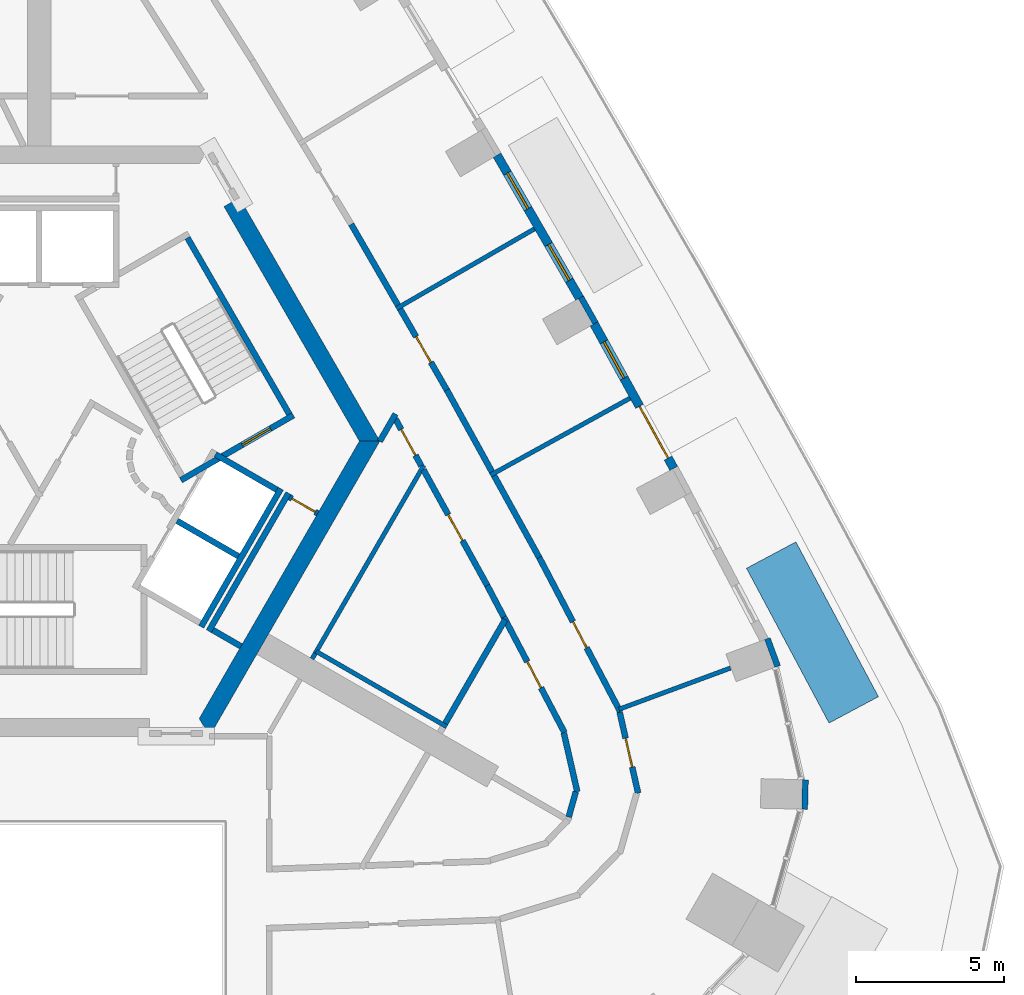
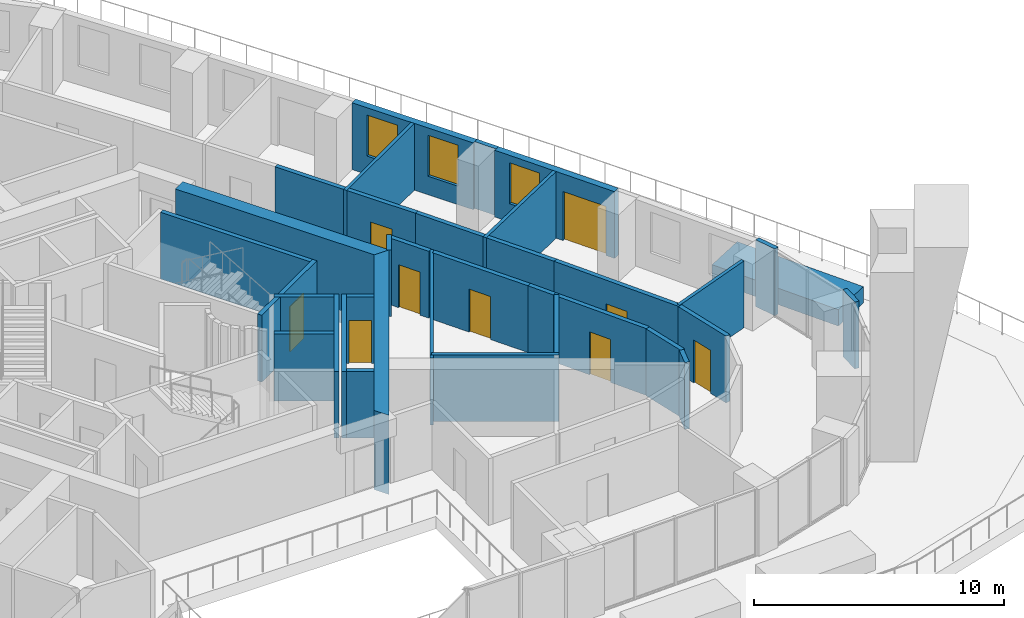
# One storey, part 8 of 14: 36 walls, 9 doors, 3 windows, 12 openings.
"""IFC4 building model written with IfcOpenShell, lengths in metres."""

from ifc_helpers import new_model, si_unit, direction, frame, frame_2d, origin, place, context, subcontext, project, spatial, polyline, rectangle, outline, extrude, material, layer, layer_set, type_object, element, fill, save


model = new_model("IFC4")

# Units and contexts
model_context = context("Model", 3, precision=1e-05, world=origin(), true_north=direction((0.0, 1.0)))
body_context = subcontext(model_context, "Body", "Model", "MODEL_VIEW")
ifc_project = project(units=[si_unit("LENGTHUNIT", "METRE"), si_unit("AREAUNIT", "SQUARE_METRE"), si_unit("VOLUMEUNIT", "CUBIC_METRE"), si_unit("PLANEANGLEUNIT", "RADIAN"), si_unit("MASSUNIT", "GRAM", prefix="KILO")], contexts=[model_context])

# Site, building, storey
site_placement = place(None, origin())
site = spatial("IfcSite", under=ifc_project, at=site_placement, CompositionType="ELEMENT")
building_placement = place(site_placement, origin())
building = spatial("IfcBuilding", under=site, at=building_placement, Name="Entoto Arch Interchange Tower", CompositionType="ELEMENT")
storey_placement = place(building_placement, frame((0.0, 0.0, 241.39990234375)))
storey = spatial("IfcBuildingStorey", under=building, at=storey_placement, Name="L54", CompositionType="ELEMENT", Elevation=241.39990234375)

# Walls
ifc_material_1 = material(Name="Concrete C40/50", Category="concrete")
ifc_layer_1 = layer(ifc_material_1, 0.60009765625)
ifc_layer_set_1 = layer_set([ifc_layer_1], Name="Concrete C40/50")
wall_type_1 = type_object("IfcWallType", Name="Core wall 600 C40/50", PredefinedType="SHEAR", material=ifc_layer_set_1)
wall_1_placement = place(storey_placement, frame((0.0, 0.0, -0.599853515625)))
element("IfcWall", 1, at=wall_1_placement, inside=storey, type_object=wall_type_1, Name="Core wall NE L54", PredefinedType="SHEAR", context=body_context, shape_type="SweptSolid", body=[
    extrude(outline(polyline([(6.785888671875, 10.7470703125), (6.26611328125, 10.447021484375), (10.85400390625, 2.5), (11.547119140625, 2.5), (6.785888671875, 10.7470703125)])), origin(), (0.0, 0.0, 1.0), 3.85986328125),
])
wall_2_placement = place(storey_placement, frame((0.0, 0.0, -0.599853515625)))
element("IfcWall", 2, at=wall_2_placement, inside=storey, type_object=wall_type_1, Name="Core wall SE L54", PredefinedType="SHEAR", context=body_context, shape_type="SweptSolid", body=[
    extrude(outline(polyline([(5.77392578125, -7.5), (11.547119140625, 2.5), (10.85400390625, 2.5), (5.427001953125, -6.89990234375), (5.77392578125, -7.5)])), origin(), (0.0, 0.0, 1.0), 3.85986328125),
])
ifc_layer_2 = layer(ifc_material_1, 0.199951171875)
ifc_layer_set_2 = layer_set([ifc_layer_2], Name="Concrete C40/50")
wall_type_2 = type_object("IfcWallType", Name="LIFT SHAFT WALL 200", PredefinedType="STANDARD", material=ifc_layer_set_2)
wall_3_placement = place(storey_placement, frame((5.491943359375, -3.7880859375, 0.0), z_axis=(0.0, 0.0, 1.0), x_axis=(0.500034260056, 0.866005622828, 0.0)))
element("IfcWall", 3, at=wall_3_placement, inside=storey, type_object=wall_type_2, Name="Shaft wall SE1 back", PredefinedType="STANDARD", context=body_context, shape_type="SweptSolid", body=[
    extrude(rectangle(XDim=5.3994140625, YDim=0.199951171875, at=frame_2d((2.69970703125, 0.0))), origin(), (0.0, 0.0, 1.0), 3.260009765625),
])
for number, where, z_axis, x_axis, name in (
    (4, (4.677001953125, -0.199951171875, 0.0), (0.0, 0.0, 1.0), (0.865973769406, -0.500089422704, 0.0), "Shaft wall SE1 cross 2"),
    (5, (5.97705078125, 2.052001953125, 0.0), (0.0, 0.0, 1.0), (0.865973769406, -0.500089422704, 0.0), "Shaft wall SE1 cross 3"),
):
    element("IfcWall", number, at=place(storey_placement, frame(where, z_axis=z_axis, x_axis=x_axis)), inside=storey, type_object=wall_type_2, Name=name, PredefinedType="STANDARD", context=body_context, shape_type="SweptSolid", body=[
        extrude(rectangle(XDim=2.3994140625, YDim=0.199951171875, at=frame_2d((1.19970703125, 0.0))), origin(), (0.0, 0.0, 1.0), 3.260009765625),
    ])
ifc_material_2 = material(Name="Gypsum board partition on steel studs", Category="steel")
ifc_layer_3 = layer(ifc_material_2, 0.14990234375)
ifc_layer_set_3 = layer_set([ifc_layer_3], Name="Gypsum board partition on steel studs")
wall_type_3 = type_object("IfcWallType", Name="PARTITION 150", PredefinedType="PARTITIONING", material=ifc_layer_set_3)
wall_4_placement = place(storey_placement, frame((9.35791015625, -4.69189453125, 0.0), z_axis=(0.0, 0.0, 1.0), x_axis=(0.500027777314, 0.866009365951, 0.0)))
element("IfcWall", 6, at=wall_4_placement, inside=storey, type_object=wall_type_3, Name="wall:L54:p074", PredefinedType="PARTITIONING", context=body_context, shape_type="SweptSolid", body=[
    extrude(rectangle(XDim=7.35986328125, YDim=0.14990234375, at=frame_2d((3.679931640625, 0.0))), origin(), (0.0, 0.0, 1.0), 3.260009765625),
])
wall_5_placement = place(storey_placement, frame((9.39501953125, -4.626953125, 0.0), z_axis=(0.0, 0.0, 1.0), x_axis=(0.866034131428, -0.499984882974, 0.0)))
element("IfcWall", 7, at=wall_5_placement, inside=storey, type_object=wall_type_3, Name="wall:L54:p091", PredefinedType="PARTITIONING", context=body_context, shape_type="SweptSolid", body=[
    extrude(rectangle(XDim=5.100341796875, YDim=0.14990234375, at=frame_2d((2.55029296875, 0.0))), origin(), (0.0, 0.0, 1.0), 3.260009765625),
])
wall_6_placement = place(storey_placement, frame((19.64892578125, -6.5859375, 0.0), z_axis=(0.0, 0.0, 1.0), x_axis=(0.937935790958, 0.346808956114, 0.0)))
element("IfcWall", 8, at=wall_6_placement, inside=storey, type_object=wall_type_3, Name="wall:L54:p104", PredefinedType="PARTITIONING", context=body_context, shape_type="SweptSolid", body=[
    extrude(rectangle(XDim=4.028076171875, YDim=0.14990234375, at=frame_2d((2.01416015625, 0.0))), origin(), (0.0, 0.0, 1.0), 3.260009765625),
])
wall_7_placement = place(storey_placement, frame((15.294921875, 1.346923828125, 0.0), z_axis=(0.0, 0.0, 1.0), x_axis=(0.875728645362, 0.482803624358, 0.0)))
element("IfcWall", 9, at=wall_7_placement, inside=storey, type_object=wall_type_3, Name="wall:L54:p105", PredefinedType="PARTITIONING", context=body_context, shape_type="SweptSolid", body=[
    extrude(rectangle(XDim=5.400146484375, YDim=0.14990234375, at=frame_2d((2.7001953125, 0.0))), origin(), (0.0, 0.0, 1.0), 3.260009765625),
])
wall_8_placement = place(storey_placement, frame((12.110107421875, 6.991943359375, 0.0), z_axis=(0.0, 0.0, 1.0), x_axis=(0.865994316829, 0.50005384032, 0.0)))
element("IfcWall", 10, at=wall_8_placement, inside=storey, type_object=wall_type_3, Name="wall:L54:p106", PredefinedType="PARTITIONING", context=body_context, shape_type="SweptSolid", body=[
    extrude(rectangle(XDim=5.3994140625, YDim=0.14990234375, at=frame_2d((2.69970703125, 0.0))), origin(), (0.0, 0.0, 1.0), 3.260009765625),
])
wall_9_placement = place(storey_placement, frame((9.25, -4.87890625, 0.0), z_axis=(0.0, 0.0, 1.0), x_axis=(0.499787711288, 0.866147934042, 0.0)))
element("IfcWall", 11, at=wall_9_placement, inside=storey, type_object=wall_type_3, Name="wall:L54:p073", PredefinedType="PARTITIONING", context=body_context, shape_type="SweptSolid", body=[
    extrude(rectangle(XDim=0.2158203125, YDim=0.14990234375, at=frame_2d((0.10791015625, 0.0))), origin(), (0.0, 0.0, 1.0), 3.260009765625),
])

# Wall, opening, door
ifc_layer_4 = layer(ifc_material_2, 0.199951171875)
ifc_layer_set_4 = layer_set([ifc_layer_4], Name="Gypsum board partition on steel studs")
wall_type_4 = type_object("IfcWallType", Name="PARTITION 200", PredefinedType="PARTITIONING", material=ifc_layer_set_4)
wall_10_placement = place(storey_placement, frame((12.951904296875, 1.660888671875, 0.0), z_axis=(0.0, 0.0, 1.0), x_axis=(-0.482707835392, 0.875781448566, 0.0)))
wall_10 = element("IfcWall", 12, at=wall_10_placement, inside=storey, type_object=wall_type_4, Name="wall:L54:p004", PredefinedType="PARTITIONING", context=body_context, shape_type="SweptSolid", body=[
    extrude(rectangle(XDim=1.816650390625, YDim=0.199951171875, at=frame_2d((0.908203125, 0.0))), origin(), (0.0, 0.0, 1.0), 3.260009765625),
])
opening_1_placement = place(wall_10_placement, frame((0.407958984375, 0.0, 0.0)))
opening_1 = element("IfcOpeningElement", 13, at=opening_1_placement, cuts=wall_10, Name="Opening L54-D25", PredefinedType="OPENING", context=body_context, shape_type="SweptSolid", body=[
    extrude(rectangle(XDim=1.0, YDim=2.10009765625, at=frame_2d((0.5, 1.050048828125))), frame((0.0, 0.10986328125, 0.0), z_axis=(0.0, -1.0, 0.0), x_axis=(1.0, 0.0, 0.0)), (0.0, 0.0, 1.0), 0.219970703125),
])
ifc_material_3 = material(Name="Timber door leaf in Steel S235 frame", Category="steel")
door_type_1 = type_object("IfcDoorType", Name="DOOR DS-10 1000x2100", OperationType="SINGLE_SWING_LEFT", PredefinedType="DOOR", material=ifc_material_3)
door_1_placement = place(opening_1_placement, origin())
door_1 = element("IfcDoor", 14, at=door_1_placement, inside=storey, type_object=door_type_1, Name="door:L54:25", OperationType="SINGLE_SWING_RIGHT", OverallHeight=2.10009765625, OverallWidth=1.0, PredefinedType="DOOR", context=body_context, shape_type="SweptSolid", body=[
    extrude(rectangle(XDim=1.0, YDim=2.10009765625, at=frame_2d((0.5, 1.050048828125))), frame((0.0, 0.02490234375, 0.0), z_axis=(0.0, -1.0, 0.0), x_axis=(1.0, 0.0, 0.0)), (0.0, 0.0, 1.0), 0.050048828125),
])
fill(opening_1, door_1)

# Walls
wall_11_placement = place(storey_placement, frame((12.0791015625, 3.4189453125, 0.0), z_axis=(0.0, 0.0, 1.0), x_axis=(-0.500674759037, -0.865635480825, 0.0)))
element("IfcWall", 15, at=wall_11_placement, inside=storey, type_object=wall_type_4, Name="wall:L54:p005", PredefinedType="PARTITIONING", context=body_context, shape_type="SweptSolid", body=[
    extrude(rectangle(XDim=1.06494140625, YDim=0.199951171875, at=frame_2d((0.532470703125, 0.0))), origin(), (0.0, 0.0, 1.0), 3.260009765625),
])
wall_12_placement = place(storey_placement, frame((15.74609375, -3.4580078125, 0.0), z_axis=(0.0, 0.0, 1.0), x_axis=(-0.464794189951, 0.885418748948, 0.0)))
element("IfcWall", 16, at=wall_12_placement, inside=storey, type_object=wall_type_4, Name="wall:L54:p014", PredefinedType="PARTITIONING", context=body_context, shape_type="SweptSolid", body=[
    extrude(rectangle(XDim=1.205078125, YDim=0.199951171875, at=frame_2d((0.6025390625, 0.0))), origin(), (0.0, 0.0, 1.0), 3.260009765625),
])

# Wall, opening, door
wall_13_placement = place(storey_placement, frame((15.18603515625, -2.39111328125, 0.0), z_axis=(0.0, 0.0, 1.0), x_axis=(-0.482858240592, 0.875698532311, 0.0)))
wall_13 = element("IfcWall", 17, at=wall_13_placement, inside=storey, type_object=wall_type_4, Name="wall:L54:p015", PredefinedType="PARTITIONING", context=body_context, shape_type="SweptSolid", body=[
    extrude(rectangle(XDim=4.477783203125, YDim=0.199951171875, at=frame_2d((2.23876953125, 0.0))), origin(), (0.0, 0.0, 1.0), 3.260009765625),
])
opening_2_placement = place(wall_13_placement, frame((1.739013671875, 0.0, 0.0)))
opening_2 = element("IfcOpeningElement", 18, at=opening_2_placement, cuts=wall_13, Name="Opening L54-D15", PredefinedType="OPENING", context=body_context, shape_type="SweptSolid", body=[
    extrude(rectangle(XDim=1.0, YDim=2.10009765625, at=frame_2d((0.5, 1.050048828125))), frame((0.0, 0.10986328125, 0.0), z_axis=(0.0, -1.0, 0.0), x_axis=(1.0, 0.0, 0.0)), (0.0, 0.0, 1.0), 0.219970703125),
])
door_2_placement = place(opening_2_placement, origin())
door_2 = element("IfcDoor", 19, at=door_2_placement, inside=storey, type_object=door_type_1, Name="door:L54:15", OperationType="SINGLE_SWING_LEFT", OverallHeight=2.10009765625, OverallWidth=1.0, PredefinedType="DOOR", context=body_context, shape_type="SweptSolid", body=[
    extrude(rectangle(XDim=1.0, YDim=2.10009765625, at=frame_2d((0.5, 1.050048828125))), frame((0.0, 0.02490234375, 0.0), z_axis=(0.0, -1.0, 0.0), x_axis=(1.0, 0.0, 0.0)), (0.0, 0.0, 1.0), 0.050048828125),
])
fill(opening_2, door_2)

# Walls
wall_14_placement = place(storey_placement, frame((17.945068359375, -10.238037109375, 0.0), z_axis=(0.0, 0.0, 1.0), x_axis=(0.270785141481, 0.962639811743, 0.0)))
element("IfcWall", 20, at=wall_14_placement, inside=storey, type_object=wall_type_4, Name="wall:L54:p019", PredefinedType="PARTITIONING", context=body_context, shape_type="SweptSolid", body=[
    extrude(rectangle(XDim=0.8935546875, YDim=0.199951171875, at=frame_2d((0.44677734375, 0.0))), origin(), (0.0, 0.0, 1.0), 3.260009765625),
])
wall_15_placement = place(storey_placement, frame((18.236083984375, -9.37890625, 0.0), z_axis=(0.0, 0.0, 1.0), x_axis=(-0.222760041204, 0.974873306662, 0.0)))
element("IfcWall", 21, at=wall_15_placement, inside=storey, type_object=wall_type_4, Name="wall:L54:p020", PredefinedType="PARTITIONING", context=body_context, shape_type="SweptSolid", body=[
    extrude(rectangle(XDim=2.04736328125, YDim=0.199951171875, at=frame_2d((1.023681640625, 0.0))), origin(), (0.0, 0.0, 1.0), 3.260009765625),
])

# Wall, opening, door
wall_16_placement = place(storey_placement, frame((17.803955078125, -7.3740234375, 0.0), z_axis=(0.0, 0.0, 1.0), x_axis=(-0.465179971699, 0.885216128372, 0.0)))
wall_16 = element("IfcWall", 22, at=wall_16_placement, inside=storey, type_object=wall_type_4, Name="wall:L54:p021", PredefinedType="PARTITIONING", context=body_context, shape_type="SweptSolid", body=[
    extrude(rectangle(XDim=4.423828125, YDim=0.199951171875, at=frame_2d((2.2119140625, 0.0))), origin(), (0.0, 0.0, 1.0), 3.260009765625),
])
opening_3_placement = place(wall_16_placement, frame((1.7119140625, 0.0, 0.0)))
opening_3 = element("IfcOpeningElement", 23, at=opening_3_placement, cuts=wall_16, Name="Opening L54-D17", PredefinedType="OPENING", context=body_context, shape_type="SweptSolid", body=[
    extrude(rectangle(XDim=1.0, YDim=2.10009765625, at=frame_2d((0.5, 1.050048828125))), frame((0.0, 0.10986328125, 0.0), z_axis=(0.0, -1.0, 0.0), x_axis=(1.0, 0.0, 0.0)), (0.0, 0.0, 1.0), 0.219970703125),
])
door_3_placement = place(opening_3_placement, origin())
door_3 = element("IfcDoor", 24, at=door_3_placement, inside=storey, type_object=door_type_1, Name="door:L54:17", OperationType="SINGLE_SWING_LEFT", OverallHeight=2.10009765625, OverallWidth=1.0, PredefinedType="DOOR", context=body_context, shape_type="SweptSolid", body=[
    extrude(rectangle(XDim=1.0, YDim=2.10009765625, at=frame_2d((0.5, 1.050048828125))), frame((0.0, 0.02490234375, 0.0), z_axis=(0.0, -1.0, 0.0), x_axis=(1.0, 0.0, 0.0)), (0.0, 0.0, 1.0), 0.050048828125),
])
fill(opening_3, door_3)

wall_17_placement = place(storey_placement, frame((19.672119140625, -6.68310546875, 0.0), z_axis=(0.0, 0.0, 1.0), x_axis=(0.222523624687, -0.974927298036, 0.0)))
wall_17 = element("IfcWall", 25, at=wall_17_placement, inside=storey, type_object=wall_type_4, Name="wall:L54:p035", PredefinedType="PARTITIONING", context=body_context, shape_type="SweptSolid", body=[
    extrude(rectangle(XDim=2.8173828125, YDim=0.199951171875, at=frame_2d((1.40869140625, 0.0))), origin(), (0.0, 0.0, 1.0), 3.260009765625),
])
opening_4_placement = place(wall_17_placement, frame((0.908935546875, 0.0, 0.0)))
opening_4 = element("IfcOpeningElement", 26, at=opening_4_placement, cuts=wall_17, Name="Opening L54-D02", PredefinedType="OPENING", context=body_context, shape_type="SweptSolid", body=[
    extrude(rectangle(XDim=1.0, YDim=2.10009765625, at=frame_2d((0.5, 1.050048828125))), frame((0.0, 0.10986328125, 0.0), z_axis=(0.0, -1.0, 0.0), x_axis=(1.0, 0.0, 0.0)), (0.0, 0.0, 1.0), 0.219970703125),
])
door_4_placement = place(opening_4_placement, origin())
door_4 = element("IfcDoor", 27, at=door_4_placement, inside=storey, type_object=door_type_1, Name="door:L54:02", OperationType="SINGLE_SWING_LEFT", OverallHeight=2.10009765625, OverallWidth=1.0, PredefinedType="DOOR", context=body_context, shape_type="SweptSolid", body=[
    extrude(rectangle(XDim=1.0, YDim=2.10009765625, at=frame_2d((0.5, 1.050048828125))), frame((0.0, 0.02490234375, 0.0), z_axis=(0.0, -1.0, 0.0), x_axis=(1.0, 0.0, 0.0)), (0.0, 0.0, 1.0), 0.050048828125),
])
fill(opening_4, door_4)

# Wall
wall_18_placement = place(storey_placement, frame((15.41796875, 1.330078125, 0.0), z_axis=(0.0, 0.0, 1.0), x_axis=(0.482838875149, -0.875709210095, 0.0)))
element("IfcWall", 28, at=wall_18_placement, inside=storey, type_object=wall_type_4, Name="wall:L54:p039", PredefinedType="PARTITIONING", context=body_context, shape_type="SweptSolid", body=[
    extrude(rectangle(XDim=3.166748046875, YDim=0.199951171875, at=frame_2d((1.58349609375, 0.0))), origin(), (0.0, 0.0, 1.0), 3.260009765625),
])

# Wall, opening, door
wall_19_placement = place(storey_placement, frame((16.947021484375, -1.443115234375, 0.0), z_axis=(0.0, 0.0, 1.0), x_axis=(0.465133414481, -0.88524059257, 0.0)))
wall_19 = element("IfcWall", 29, at=wall_19_placement, inside=storey, type_object=wall_type_4, Name="wall:L54:p040", PredefinedType="PARTITIONING", context=body_context, shape_type="SweptSolid", body=[
    extrude(rectangle(XDim=5.91015625, YDim=0.199951171875, at=frame_2d((2.955078125, 0.0))), origin(), (0.0, 0.0, 1.0), 3.260009765625),
])
opening_5_placement = place(wall_19_placement, frame((2.455078125, 0.0, 0.0)))
opening_5 = element("IfcOpeningElement", 30, at=opening_5_placement, cuts=wall_19, Name="Opening L54-D03", PredefinedType="OPENING", context=body_context, shape_type="SweptSolid", body=[
    extrude(rectangle(XDim=1.0, YDim=2.10009765625, at=frame_2d((0.5, 1.050048828125))), frame((0.0, 0.10986328125, 0.0), z_axis=(0.0, -1.0, 0.0), x_axis=(1.0, 0.0, 0.0)), (0.0, 0.0, 1.0), 0.219970703125),
])
door_5_placement = place(opening_5_placement, origin())
door_5 = element("IfcDoor", 31, at=door_5_placement, inside=storey, type_object=door_type_1, Name="door:L54:03", OperationType="SINGLE_SWING_LEFT", OverallHeight=2.10009765625, OverallWidth=1.0, PredefinedType="DOOR", context=body_context, shape_type="SweptSolid", body=[
    extrude(rectangle(XDim=1.0, YDim=2.10009765625, at=frame_2d((0.5, 1.050048828125))), frame((0.0, 0.02490234375, 0.0), z_axis=(0.0, -1.0, 0.0), x_axis=(1.0, 0.0, 0.0)), (0.0, 0.0, 1.0), 0.050048828125),
])
fill(opening_5, door_5)

wall_20_placement = place(storey_placement, frame((12.23388671875, 6.97705078125, 0.0), z_axis=(0.0, 0.0, 1.0), x_axis=(0.499820325382, -0.866129114125, 0.0)))
wall_20 = element("IfcWall", 32, at=wall_20_placement, inside=storey, type_object=wall_type_4, Name="wall:L54:p041", PredefinedType="PARTITIONING", context=body_context, shape_type="SweptSolid", body=[
    extrude(rectangle(XDim=3.167236328125, YDim=0.199951171875, at=frame_2d((1.58349609375, 0.0))), origin(), (0.0, 0.0, 1.0), 3.260009765625),
])
opening_6_placement = place(wall_20_placement, frame((1.083984375, 0.0, 0.0)))
opening_6 = element("IfcOpeningElement", 33, at=opening_6_placement, cuts=wall_20, Name="Opening L54-D04", PredefinedType="OPENING", context=body_context, shape_type="SweptSolid", body=[
    extrude(rectangle(XDim=1.0, YDim=2.10009765625, at=frame_2d((0.5, 1.050048828125))), frame((0.0, 0.10986328125, 0.0), z_axis=(0.0, -1.0, 0.0), x_axis=(1.0, 0.0, 0.0)), (0.0, 0.0, 1.0), 0.219970703125),
])
door_6_placement = place(opening_6_placement, origin())
door_6 = element("IfcDoor", 34, at=door_6_placement, inside=storey, type_object=door_type_1, Name="door:L54:04", OperationType="SINGLE_SWING_LEFT", OverallHeight=2.10009765625, OverallWidth=1.0, PredefinedType="DOOR", context=body_context, shape_type="SweptSolid", body=[
    extrude(rectangle(XDim=1.0, YDim=2.10009765625, at=frame_2d((0.5, 1.050048828125))), frame((0.0, 0.02490234375, 0.0), z_axis=(0.0, -1.0, 0.0), x_axis=(1.0, 0.0, 0.0)), (0.0, 0.0, 1.0), 0.050048828125),
])
fill(opening_6, door_6)

# Walls
wall_21_placement = place(storey_placement, frame((13.81689453125, 4.23388671875, 0.0), z_axis=(0.0, 0.0, 1.0), x_axis=(0.482871474341, -0.875691235121, 0.0)))
element("IfcWall", 35, at=wall_21_placement, inside=storey, type_object=wall_type_4, Name="wall:L54:p042", PredefinedType="PARTITIONING", context=body_context, shape_type="SweptSolid", body=[
    extrude(rectangle(XDim=3.16650390625, YDim=0.199951171875, at=frame_2d((1.583251953125, 0.0))), origin(), (0.0, 0.0, 1.0), 3.260009765625),
])
wall_22_placement = place(storey_placement, frame((10.575927734375, 9.84912109375, 0.0), z_axis=(0.0, 0.0, 1.0), x_axis=(0.499953838557, -0.866052053466, 0.0)))
element("IfcWall", 36, at=wall_22_placement, inside=storey, type_object=wall_type_4, Name="wall:L54:p044", PredefinedType="PARTITIONING", context=body_context, shape_type="SweptSolid", body=[
    extrude(rectangle(XDim=3.166259765625, YDim=0.199951171875, at=frame_2d((1.5830078125, 0.0))), origin(), (0.0, 0.0, 1.0), 3.260009765625),
])
wall_23_placement = place(storey_placement, frame((5.7509765625, -3.93798828125, 0.0), z_axis=(0.0, 0.0, 1.0), x_axis=(0.500034260056, 0.866005622828, 0.0)))
element("IfcWall", 37, at=wall_23_placement, inside=storey, type_object=wall_type_4, Name="wall:L54:p065", PredefinedType="PARTITIONING", context=body_context, shape_type="SweptSolid", body=[
    extrude(rectangle(XDim=5.3994140625, YDim=0.199951171875, at=frame_2d((2.69970703125, 0.0))), origin(), (0.0, 0.0, 1.0), 3.260009765625),
])

# Wall, opening, door
wall_24_placement = place(storey_placement, frame((8.488037109375, 0.60205078125, 0.0), z_axis=(0.0, 0.0, 1.0), x_axis=(0.866063652425, -0.499933745558, 0.0)))
wall_24 = element("IfcWall", 38, at=wall_24_placement, inside=storey, type_object=wall_type_4, Name="wall:L54:p066", PredefinedType="PARTITIONING", context=body_context, shape_type="SweptSolid", body=[
    extrude(rectangle(XDim=1.100341796875, YDim=0.199951171875, at=frame_2d((0.55029296875, 0.0))), origin(), (0.0, 0.0, 1.0), 3.260009765625),
])
opening_7_placement = place(wall_24_placement, frame((0.10009765625, 0.0, 0.0)))
opening_7 = element("IfcOpeningElement", 39, at=opening_7_placement, cuts=wall_24, Name="Opening L54-D29", PredefinedType="OPENING", context=body_context, shape_type="SweptSolid", body=[
    extrude(rectangle(XDim=0.89990234375, YDim=2.10009765625, at=frame_2d((0.449951171875, 1.050048828125))), frame((0.0, 0.10986328125, 0.0), z_axis=(0.0, -1.0, 0.0), x_axis=(1.0, 0.0, 0.0)), (0.0, 0.0, 1.0), 0.219970703125),
])
door_type_2 = type_object("IfcDoorType", Name="DOOR DS-09 900x2100", OperationType="SINGLE_SWING_LEFT", PredefinedType="DOOR", material=ifc_material_3)
door_7_placement = place(opening_7_placement, origin())
door_7 = element("IfcDoor", 40, at=door_7_placement, inside=storey, type_object=door_type_2, Name="door:L54:29", OperationType="SINGLE_SWING_RIGHT", OverallHeight=2.10009765625, OverallWidth=0.89990234375, PredefinedType="DOOR", context=body_context, shape_type="SweptSolid", body=[
    extrude(rectangle(XDim=0.89990234375, YDim=2.10009765625, at=frame_2d((0.449951171875, 1.050048828125))), frame((0.0, 0.02490234375, 0.0), z_axis=(0.0, -1.0, 0.0), x_axis=(1.0, 0.0, 0.0)), (0.0, 0.0, 1.0), 0.050048828125),
])
fill(opening_7, door_7)

# Walls
wall_25_placement = place(storey_placement, frame((6.841064453125, -4.451904296875, 0.0), z_axis=(0.0, 0.0, 1.0), x_axis=(-0.86621513555, 0.499671230855, 0.0)))
element("IfcWall", 41, at=wall_25_placement, inside=storey, type_object=wall_type_4, Name="wall:L54:p067", PredefinedType="PARTITIONING", context=body_context, shape_type="SweptSolid", body=[
    extrude(rectangle(XDim=1.100341796875, YDim=0.199951171875, at=frame_2d((0.55029296875, 0.0))), origin(), (0.0, 0.0, 1.0), 3.260009765625),
])
wall_26_placement = place(storey_placement, frame((15.79296875, -3.5458984375, 0.0), z_axis=(0.0, 0.0, 1.0), x_axis=(-0.500000064182, -0.866025366729, 0.0)))
element("IfcWall", 42, at=wall_26_placement, inside=storey, type_object=wall_type_4, Name="wall:L54:p094", PredefinedType="PARTITIONING", context=body_context, shape_type="SweptSolid", body=[
    extrude(rectangle(XDim=4.06005859375, YDim=0.199951171875, at=frame_2d((2.030029296875, 0.0))), origin(), (0.0, 0.0, 1.0), 3.260009765625),
])
ifc_material_4 = material(Name="Board-marked precast concrete C50/60", Category="concrete")
ifc_layer_5 = layer(ifc_material_4, 1.89990234375)
ifc_layer_set_5 = layer_set([ifc_layer_5], Name="Board-marked precast concrete C50/60")
wall_type_5 = type_object("IfcWallType", Name="PLANTER RC 1900 Hagenia abyssinica", PredefinedType="STANDARD", material=ifc_layer_set_5)
wall_27_placement = place(storey_placement, frame((27.60400390625, -6.60595703125, 0.0), z_axis=(0.0, 0.0, 1.0), x_axis=(-0.470628729942, 0.882331342837, 0.0)))
element("IfcWall", 43, at=wall_27_placement, inside=storey, type_object=wall_type_5, Name="Terrace planter NE-01 L54", PredefinedType="STANDARD", context=body_context, shape_type="SweptSolid", body=[
    extrude(rectangle(XDim=5.945556640625, YDim=1.89990234375, at=frame_2d((2.97265625, 0.0))), origin(), (0.0, 0.0, 1.0), 0.800048828125),
])

# Wall, opening, door
ifc_layer_6 = layer(ifc_material_1, 0.199951171875)
ifc_layer_set_6 = layer_set([ifc_layer_6], Name="Concrete C40/50")
wall_type_6 = type_object("IfcWallType", Name="STAIR ENCLOSURE WALL 200", PredefinedType="STANDARD", material=ifc_layer_set_6)
wall_28_placement = place(storey_placement, frame((4.805908203125, 1.176025390625, 0.0), z_axis=(0.0, 0.0, 1.0), x_axis=(0.866059941101, 0.499940174841, 0.0)))
wall_28 = element("IfcWall", 44, at=wall_28_placement, inside=storey, type_object=wall_type_6, Name="Stair wall ST-NE near", PredefinedType="STANDARD", context=body_context, shape_type="SweptSolid", body=[
    extrude(rectangle(XDim=4.400390625, YDim=0.199951171875, at=frame_2d((2.2001953125, 0.0))), origin(), (0.0, 0.0, 1.0), 3.260009765625),
])
opening_8_placement = place(wall_28_placement, frame((2.39990234375, 0.0, 0.0)))
opening_8 = element("IfcOpeningElement", 45, at=opening_8_placement, cuts=wall_28, Name="Opening SD-ST-NE-L54-E", PredefinedType="OPENING", context=body_context, shape_type="SweptSolid", body=[
    extrude(rectangle(XDim=1.10009765625, YDim=2.199951171875, at=frame_2d((0.550048828125, 1.10009765625))), frame((0.0, 0.10986328125, 0.0), z_axis=(0.0, -1.0, 0.0), x_axis=(1.0, 0.0, 0.0)), (0.0, 0.0, 1.0), 0.219970703125),
])
ifc_material_5 = material(Name="Steel S235", Category="steel")
door_type_3 = type_object("IfcDoorType", Name="STAIR DOOR SD1 1100x2200", OperationType="SINGLE_SWING_LEFT", PredefinedType="DOOR", material=ifc_material_5)
door_8_placement = place(opening_8_placement, origin())
door_8 = element("IfcDoor", 46, at=door_8_placement, inside=storey, type_object=door_type_3, Name="Stair door ST-NE L54 end", OperationType="SINGLE_SWING_LEFT", OverallHeight=2.199951171875, OverallWidth=1.10009765625, PredefinedType="DOOR", context=body_context, shape_type="SweptSolid", body=[
    extrude(rectangle(XDim=1.10009765625, YDim=2.199951171875, at=frame_2d((0.550048828125, 1.10009765625))), frame((0.0, 0.02490234375, 0.0), z_axis=(0.0, -1.0, 0.0), x_axis=(1.0, 0.0, 0.0)), (0.0, 0.0, 1.0), 0.050048828125),
])
fill(opening_8, door_8)

# Wall
wall_29_placement = place(storey_placement, frame((8.47998046875, 3.412109375, 0.0), z_axis=(0.0, 0.0, 1.0), x_axis=(-0.499978703459, 0.866037698999, 0.0)))
element("IfcWall", 47, at=wall_29_placement, inside=storey, type_object=wall_type_6, Name="Stair wall ST-NE back", PredefinedType="STANDARD", context=body_context, shape_type="SweptSolid", body=[
    extrude(rectangle(XDim=6.900146484375, YDim=0.199951171875, at=frame_2d((3.4501953125, 0.0))), origin(), (0.0, 0.0, 1.0), 3.260009765625),
])

# Wall, openings, door, window
ifc_material_6 = material(Name="Welded tuff (ignimbrite) cladding, warm buff", Category="masonry")
ifc_layer_7 = layer(ifc_material_6, 0.300048828125)
ifc_layer_set_7 = layer_set([ifc_layer_7], Name="Welded tuff (ignimbrite) cladding, warm buff")
wall_type_7 = type_object("IfcWallType", Name="STONE INFILL WALL 300", PredefinedType="STANDARD", material=ifc_layer_set_7)
wall_30_placement = place(storey_placement, frame((21.5048828125, 1.576904296875, 0.0), z_axis=(0.0, 0.0, 1.0), x_axis=(-0.482734585173, 0.875766704253, 0.0)))
wall_30 = element("IfcWall", 48, at=wall_30_placement, inside=storey, type_object=wall_type_7, Name="Facade wall NE-02 L54", PredefinedType="STANDARD", context=body_context, shape_type="SweptSolid", body=[
    extrude(rectangle(XDim=5.593017578125, YDim=0.300048828125, at=frame_2d((2.79638671875, 0.0))), origin(), (0.0, 0.0, 1.0), 3.260009765625),
])
opening_9_placement = place(wall_30_placement, frame((0.39794921875, 0.0, 0.0)))
opening_9 = element("IfcOpeningElement", 49, at=opening_9_placement, cuts=wall_30, Name="Opening DT-NE-02-L54", PredefinedType="OPENING", context=body_context, shape_type="SweptSolid", body=[
    extrude(rectangle(XDim=2.0, YDim=2.39990234375, at=frame_2d((1.0, 1.199951171875))), frame((0.0, 0.16015625, 0.0), z_axis=(0.0, -1.0, 0.0), x_axis=(1.0, 0.0, 0.0)), (0.0, 0.0, 1.0), 0.320068359375),
])
opening_10_placement = place(wall_30_placement, frame((3.4951171875, 0.0, 0.89990234375)))
opening_10 = element("IfcOpeningElement", 50, at=opening_10_placement, cuts=wall_30, Name="Opening WH-B", PredefinedType="OPENING", context=body_context, shape_type="SweptSolid", body=[
    extrude(rectangle(XDim=1.39990234375, YDim=2.0, at=frame_2d((0.699951171875, 1.0))), frame((0.0, 0.16015625, 0.0), z_axis=(0.0, -1.0, 0.0), x_axis=(1.0, 0.0, 0.0)), (0.0, 0.0, 1.0), 0.320068359375),
])
ifc_material_7 = material(Name="Aluminium and clear glass, anodised", Category="aluminium")
door_type_4 = type_object("IfcDoorType", Name="TERRACE DOOR DT 2000x2400", OperationType="SLIDING_TO_LEFT", PredefinedType="DOOR", material=ifc_material_7)
door_9_placement = place(opening_9_placement, origin())
door_9 = element("IfcDoor", 51, at=door_9_placement, inside=storey, type_object=door_type_4, Name="Terrace door NE-02 L54", OperationType="SLIDING_TO_LEFT", OverallHeight=2.39990234375, OverallWidth=2.0, PredefinedType="DOOR", context=body_context, shape_type="SweptSolid", body=[
    extrude(rectangle(XDim=2.0, YDim=2.39990234375, at=frame_2d((1.0, 1.199951171875))), frame((0.0, 0.02490234375, 0.0), z_axis=(0.0, -1.0, 0.0), x_axis=(1.0, 0.0, 0.0)), (0.0, 0.0, 1.0), 0.050048828125),
])
fill(opening_9, door_9)
ifc_material_8 = material(Name="Clear glass, low-e double glazed", Category="glass")
window_type = type_object("IfcWindowType", Name="WINDOW WH-B 1400x2000", PartitioningType="DOUBLE_PANEL_VERTICAL", PredefinedType="WINDOW", material=ifc_material_8)
window_1_placement = place(opening_10_placement, origin())
window_1 = element("IfcWindow", 52, at=window_1_placement, inside=storey, type_object=window_type, Name="Window WH-B NE-02 L54", OverallHeight=2.0, OverallWidth=1.39990234375, PartitioningType="SINGLE_PANEL", PredefinedType="WINDOW", context=body_context, shape_type="SweptSolid", body=[
    extrude(rectangle(XDim=1.39990234375, YDim=2.0, at=frame_2d((0.699951171875, 1.0))), frame((0.0, 0.030029296875, 0.0), z_axis=(0.0, -1.0, 0.0), x_axis=(1.0, 0.0, 0.0)), (0.0, 0.0, 1.0), 0.06005859375),
])
fill(opening_10, window_1)

# Wall, openings, windows
wall_31_placement = place(storey_placement, frame((18.31494140625, 7.343994140625, 0.0), z_axis=(0.0, 0.0, 1.0), x_axis=(-0.49995037644, 0.866054052065, 0.0)))
wall_31 = element("IfcWall", 53, at=wall_31_placement, inside=storey, type_object=wall_type_7, Name="Facade wall NE-03 L54", PredefinedType="STANDARD", context=body_context, shape_type="SweptSolid", body=[
    extrude(rectangle(XDim=5.59423828125, YDim=0.300048828125, at=frame_2d((2.797119140625, 0.0))), origin(), (0.0, 0.0, 1.0), 3.260009765625),
])
opening_11_placement = place(wall_31_placement, frame((0.698974609375, 0.0, 0.89990234375)))
opening_11 = element("IfcOpeningElement", 54, at=opening_11_placement, cuts=wall_31, Name="Opening WH-B", PredefinedType="OPENING", context=body_context, shape_type="SweptSolid", body=[
    extrude(rectangle(XDim=1.39990234375, YDim=2.0, at=frame_2d((0.699951171875, 1.0))), frame((0.0, 0.16015625, 0.0), z_axis=(0.0, -1.0, 0.0), x_axis=(1.0, 0.0, 0.0)), (0.0, 0.0, 1.0), 0.320068359375),
])
opening_12_placement = place(wall_31_placement, frame((3.49609375, 0.0, 0.89990234375)))
opening_12 = element("IfcOpeningElement", 55, at=opening_12_placement, cuts=wall_31, Name="Opening WH-B", PredefinedType="OPENING", context=body_context, shape_type="SweptSolid", body=[
    extrude(rectangle(XDim=1.39990234375, YDim=2.0, at=frame_2d((0.699951171875, 1.0))), frame((0.0, 0.16015625, 0.0), z_axis=(0.0, -1.0, 0.0), x_axis=(1.0, 0.0, 0.0)), (0.0, 0.0, 1.0), 0.320068359375),
])
window_2_placement = place(opening_11_placement, origin())
window_2 = element("IfcWindow", 56, at=window_2_placement, inside=storey, type_object=window_type, Name="Window WH-B NE-03 L54", OverallHeight=2.0, OverallWidth=1.39990234375, PartitioningType="SINGLE_PANEL", PredefinedType="WINDOW", context=body_context, shape_type="SweptSolid", body=[
    extrude(rectangle(XDim=1.39990234375, YDim=2.0, at=frame_2d((0.699951171875, 1.0))), frame((0.0, 0.030029296875, 0.0), z_axis=(0.0, -1.0, 0.0), x_axis=(1.0, 0.0, 0.0)), (0.0, 0.0, 1.0), 0.06005859375),
])
fill(opening_11, window_2)
window_3_placement = place(opening_12_placement, origin())
window_3 = element("IfcWindow", 57, at=window_3_placement, inside=storey, type_object=window_type, Name="Window WH-B NE-03 L54", OverallHeight=2.0, OverallWidth=1.39990234375, PartitioningType="SINGLE_PANEL", PredefinedType="WINDOW", context=body_context, shape_type="SweptSolid", body=[
    extrude(rectangle(XDim=1.39990234375, YDim=2.0, at=frame_2d((0.699951171875, 1.0))), frame((0.0, 0.030029296875, 0.0), z_axis=(0.0, -1.0, 0.0), x_axis=(1.0, 0.0, 0.0)), (0.0, 0.0, 1.0), 0.06005859375),
])
fill(opening_12, window_3)

# Walls
ifc_layer_8 = layer(ifc_material_6, 0.199951171875)
ifc_layer_set_8 = layer_set([ifc_layer_8], Name="Welded tuff (ignimbrite) cladding, warm buff")
wall_type_8 = type_object("IfcWallType", Name="STONE PIER CLADDING 200", PredefinedType="STANDARD", material=ifc_layer_set_8)
wall_32_placement = place(storey_placement, frame((25.02587890625, -5.131103515625, 0.0), z_axis=(0.0, 0.0, 1.0), x_axis=(-0.346892928577, 0.937904737222, 0.0)))
element("IfcWall", 58, at=wall_32_placement, inside=storey, type_object=wall_type_8, Name="Stone pier NE01 L54", PredefinedType="STANDARD", context=body_context, shape_type="SweptSolid", body=[
    extrude(rectangle(XDim=1.0, YDim=0.199951171875, at=frame_2d((0.5, 0.0))), origin(), (0.0, 0.0, 1.0), 3.260009765625),
])
wall_33_placement = place(storey_placement, frame((18.85400390625, 6.5009765625, 0.0), z_axis=(0.0, 0.0, 1.0), x_axis=(-0.491743606947, 0.87074004446, 0.0)))
element("IfcWall", 59, at=wall_33_placement, inside=storey, type_object=wall_type_8, Name="Stone pier NE03 L54", PredefinedType="STANDARD", context=body_context, shape_type="SweptSolid", body=[
    extrude(rectangle(XDim=1.00048828125, YDim=0.199951171875, at=frame_2d((0.500244140625, 0.0))), origin(), (0.0, 0.0, 1.0), 3.260009765625),
])
wall_34_placement = place(storey_placement, frame((25.94189453125, -9.972900390625, 0.0), z_axis=(0.0, 0.0, 1.0), x_axis=(0.024192379573, 0.999707321555, 0.0)))
element("IfcWall", 60, at=wall_34_placement, inside=storey, type_object=wall_type_8, Name="Stone pier SE3 L54", PredefinedType="STANDARD", context=body_context, shape_type="SweptSolid", body=[
    extrude(rectangle(XDim=0.9990234375, YDim=0.199951171875, at=frame_2d((0.49951171875, 0.0))), origin(), (0.0, 0.0, 1.0), 3.260009765625),
])

save(model, "model.ifc")
